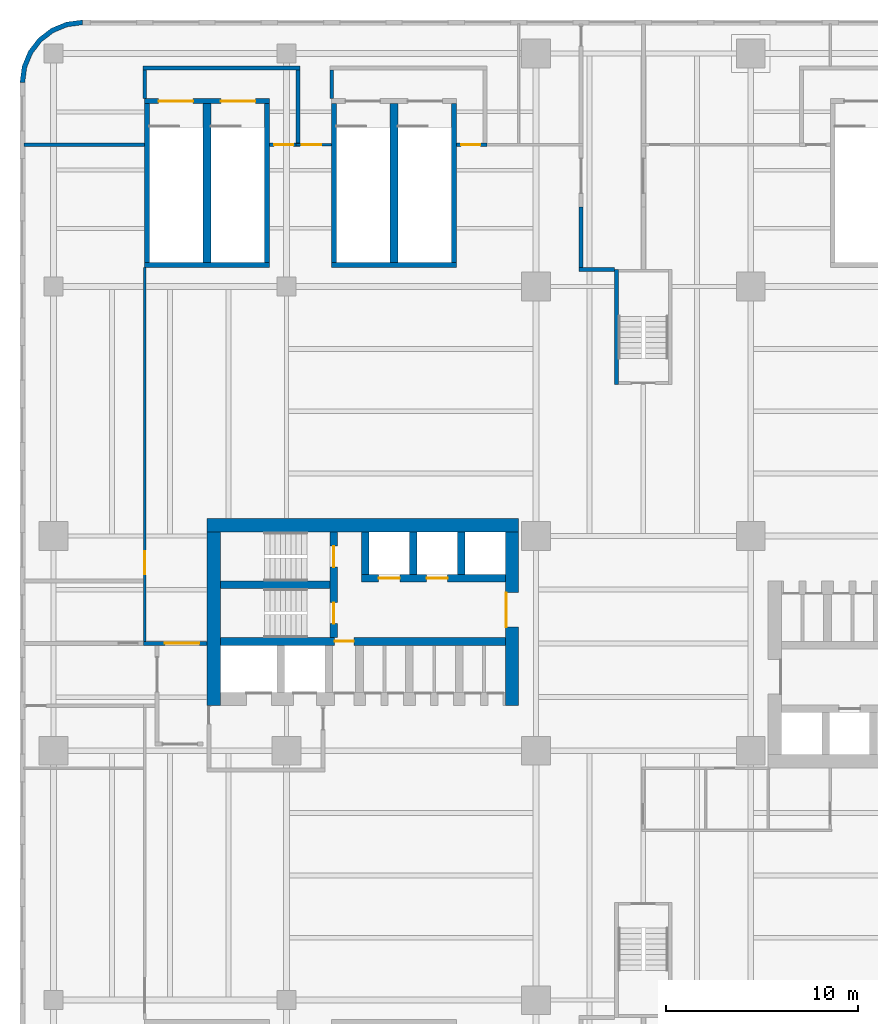
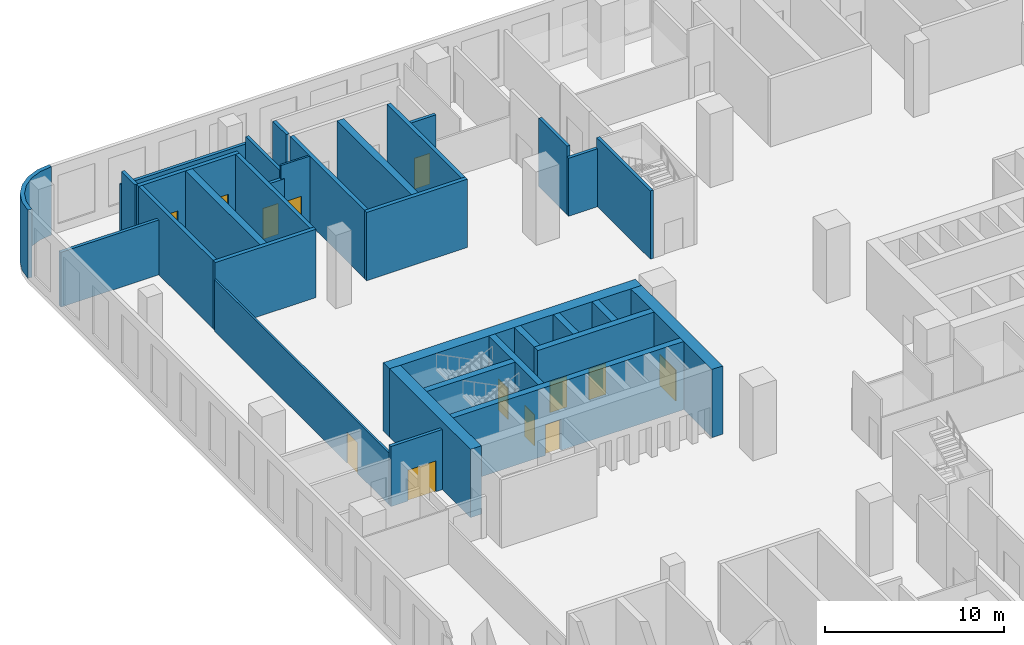
# One storey, part 8 of 13: 33 walls, 13 doors, 13 openings.
"""IFC4 building model written with IfcOpenShell, lengths in metres."""

import ifcopenshell
import ifcopenshell.guid

model = None  # the IFC model being written
_history = None  # IfcOwnerHistory: only IFC2X3 demands one
_inside = {}  # id of a spatial element -> (the spatial element, [elements in it])
_under = {}  # id of a project, library or spatial element -> (it, [spatial elements below it])
_declared = {}  # id of a project -> (the project, [libraries it declares])
_typed = {}  # id of a type object -> (the type object, [elements of that type])
_made_of = {}  # id of a material, layer set ... -> (it, [elements and type objects made of it])


def new_model(schema):
    """Start an empty IFC model of exactly this schema.

    Asked for "IFC4X3", IfcOpenShell would pick the latest addendum, in which some entities
    have other attributes; the version numbers below select the first issue.
    IFC2X3 requires an IfcOwnerHistory on every rooted entity: one is made here for all.
    """
    global model, _history
    if schema == "IFC4X3":
        model = ifcopenshell.file(schema_version=(4, 3, 0, 0))
    else:
        model = ifcopenshell.file(schema=schema)
    _inside.clear()
    _under.clear()
    _declared.clear()
    _typed.clear()
    _made_of.clear()
    _history = None
    if model.schema == "IFC2X3":
        org = make("IfcOrganization", Name="unknown")
        user = make(
            "IfcPersonAndOrganization",
            ThePerson=make("IfcPerson", FamilyName="unknown"),
            TheOrganization=org,
        )
        app = make(
            "IfcApplication",
            ApplicationDeveloper=org,
            Version="unknown",
            ApplicationFullName="unknown",
            ApplicationIdentifier="unknown",
        )
        _history = make(
            "IfcOwnerHistory",
            OwningUser=user,
            OwningApplication=app,
            ChangeAction="ADDED",
            CreationDate=0,
        )
    return model


def make(cls, **values):
    """One entity of the class cls with the attributes given. An attribute that is None is left unset."""
    return model.create_entity(
        cls, **{name: value for name, value in values.items() if value is not None}
    )


def rooted(cls, **values):
    """An entity with a GlobalId (a new one), such as an element, a storey or a relation."""
    return make(cls, GlobalId=ifcopenshell.guid.new(), OwnerHistory=_history, **values)


def si_unit(unit_type, name, prefix=None):
    """IfcSIUnit, for example si_unit("LENGTHUNIT", "METRE", prefix="MILLI")."""
    return make("IfcSIUnit", UnitType=unit_type, Prefix=prefix, Name=name)


def assignment(units):
    """IfcUnitAssignment: the units of a project."""
    return None if units is None else make("IfcUnitAssignment", Units=units)


def point(xyz):
    """IfcCartesianPoint."""
    return None if xyz is None else make("IfcCartesianPoint", Coordinates=xyz)


def direction(xyz):
    """IfcDirection."""
    return None if xyz is None else make("IfcDirection", DirectionRatios=xyz)


def frame(location, z_axis=None, x_axis=None):
    """IfcAxis2Placement3D, a coordinate frame: its origin and axes. An axis left out is left unset."""
    return make(
        "IfcAxis2Placement3D",
        Location=point(location),
        Axis=direction(z_axis),
        RefDirection=direction(x_axis),
    )


def frame_2d(location, x_axis=None):
    """IfcAxis2Placement2D, a coordinate frame in the plane: its origin and x axis."""
    return make(
        "IfcAxis2Placement2D", Location=point(location), RefDirection=direction(x_axis)
    )


def origin():
    """The frame at (0, 0, 0) with its axes left unset."""
    return frame((0.0, 0.0, 0.0))


def place(relative_to, where):
    """IfcLocalPlacement: puts the frame where relative to a parent placement (None: the world)."""
    return make(
        "IfcLocalPlacement", PlacementRelTo=relative_to, RelativePlacement=where
    )


def context(
    kind, dimensions, precision=None, world=None, true_north=None, identifier=None
):
    """IfcGeometricRepresentationContext, for example the 3D "Model" context."""
    return make(
        "IfcGeometricRepresentationContext",
        ContextIdentifier=identifier,
        ContextType=kind,
        CoordinateSpaceDimension=dimensions,
        Precision=precision,
        WorldCoordinateSystem=world,
        TrueNorth=true_north,
    )


def subcontext(parent, identifier, kind, view, scale=None):
    """IfcGeometricRepresentationSubContext, for example "Body" below "Model"."""
    return make(
        "IfcGeometricRepresentationSubContext",
        ContextIdentifier=identifier,
        ContextType=kind,
        ParentContext=parent,
        TargetScale=scale,
        TargetView=view,
    )


def project(units=None, contexts=None):
    """IfcProject with its units and contexts."""
    return rooted(
        "IfcProject",
        Name="project",
        RepresentationContexts=contexts,
        UnitsInContext=assignment(units),
    )


def spatial(cls, under=None, at=None, **own):
    """A site, building, storey or space (cls), placed at a placement, below another one or the project."""
    s = rooted(cls, ObjectPlacement=at, **own)
    if under is not None:
        _under.setdefault(under.id(), (under, []))[1].append(s)
    return s


def polyline(points):
    """IfcPolyline through the points."""
    return make("IfcPolyline", Points=[point(p) for p in points])


def profile(cls, at=None, kind="AREA", **sizes):
    """A parametric profile (cls). Its sizes go by their IFC names, for example OverallWidth=200.0."""
    return make(cls, ProfileType=kind, Position=at, **sizes)


def rectangle(**sizes):
    """IfcRectangleProfileDef."""
    return profile("IfcRectangleProfileDef", **sizes)


def outline(outer, holes=None, kind="AREA"):
    """IfcArbitraryClosedProfileDef: a profile drawn as a closed curve; with holes, ...WithVoids."""
    if holes is None:
        return make("IfcArbitraryClosedProfileDef", ProfileType=kind, OuterCurve=outer)
    return make(
        "IfcArbitraryProfileDefWithVoids",
        ProfileType=kind,
        OuterCurve=outer,
        InnerCurves=holes,
    )


def extrude(swept, where, along, depth):
    """IfcExtrudedAreaSolid: the profile swept, set in the frame where, extruded along a direction by depth."""
    return make(
        "IfcExtrudedAreaSolid",
        SweptArea=swept,
        Position=where,
        ExtrudedDirection=direction(along),
        Depth=depth,
    )


def shape(context_of_items, identifier, shape_type, items):
    """IfcShapeRepresentation: the items that make up one representation, for example the "Body"."""
    return make(
        "IfcShapeRepresentation",
        ContextOfItems=context_of_items,
        RepresentationIdentifier=identifier,
        RepresentationType=shape_type,
        Items=items,
    )


def source(mapping_origin, context_of_items, identifier, shape_type, items):
    """IfcRepresentationMap: a shape defined once, which mapped items show again and again."""
    return make(
        "IfcRepresentationMap",
        MappingOrigin=mapping_origin,
        MappedRepresentation=shape(context_of_items, identifier, shape_type, items),
    )


def transform(
    local_origin,
    x_axis=None,
    y_axis=None,
    z_axis=None,
    scale=None,
    scale2=None,
    scale3=None,
    uniform=True,
):
    """IfcCartesianTransformationOperator3D, or its non-uniform kind. x_axis, y_axis, z_axis: its Axis1, 2, 3."""
    if uniform:
        return make(
            "IfcCartesianTransformationOperator3D",
            Axis1=direction(x_axis),
            Axis2=direction(y_axis),
            LocalOrigin=point(local_origin),
            Scale=scale,
            Axis3=direction(z_axis),
        )
    return make(
        "IfcCartesianTransformationOperator3DnonUniform",
        Axis1=direction(x_axis),
        Axis2=direction(y_axis),
        LocalOrigin=point(local_origin),
        Scale=scale,
        Axis3=direction(z_axis),
        Scale2=scale2,
        Scale3=scale3,
    )


def mapped(mapping_source, mapping_target):
    """IfcMappedItem: shows the shape of a source again, moved by a transform."""
    return make(
        "IfcMappedItem", MappingSource=mapping_source, MappingTarget=mapping_target
    )


def material(Name=None, Category=None):
    """IfcMaterial."""
    return make("IfcMaterial", Name=Name, Category=Category)


def layer(
    of_material, thickness, ventilated=None, Name=None, Category=None, Priority=None
):
    """IfcMaterialLayer: one layer of a wall or slab, of a material (None: an air gap)."""
    return make(
        "IfcMaterialLayer",
        Material=of_material,
        LayerThickness=thickness,
        IsVentilated=ventilated,
        Name=Name,
        Category=Category,
        Priority=Priority,
    )


def layer_set(layers, Name=None):
    """IfcMaterialLayerSet."""
    return make("IfcMaterialLayerSet", MaterialLayers=layers, LayerSetName=Name)


def made_of(thing, what):
    """Note that an element or type object is made of a material, layer set ...; save() writes the relation."""
    if what is not None:
        _made_of.setdefault(what.id(), (what, []))[1].append(thing)
    return thing


def type_object(cls, material=None, **own):
    """A type object (cls), such as IfcWallType, which elements share."""
    return made_of(rooted(cls, **own), material)


def element(
    cls,
    number,
    at=None,
    inside=None,
    cuts=None,
    type_object=None,
    material=None,
    context=None,
    identifier="Body",
    shape_type=None,
    held_by="IfcProductDefinitionShape",
    body=None,
    shapes=None,
    **own,
):
    """One element of the class cls, such as IfcWall. Its Tag is "e" and its number.

    at: its placement. inside: the storey or other place that contains it. cuts: it is an
    opening in that element (IfcRelVoidsElement). A single representation is given by context,
    identifier, shape_type and body (its items); several are given by shapes. held_by: the class
    of the entity that holds the representations. save() writes the other relations.
    """
    e = rooted(cls, Tag="e%d" % number, ObjectPlacement=at, **own)
    if body is not None:
        shapes = [shape(context, identifier, shape_type, body)]
    if shapes is not None:
        e.Representation = make(held_by, Representations=shapes)
    if inside is not None:
        _inside.setdefault(inside.id(), (inside, []))[1].append(e)
    if cuts is not None:
        rooted(
            "IfcRelVoidsElement", RelatingBuildingElement=cuts, RelatedOpeningElement=e
        )
    if type_object is not None:
        _typed.setdefault(type_object.id(), (type_object, []))[1].append(e)
    return made_of(e, material)


def fill(opening, filler):
    """IfcRelFillsElement: the door or window that sits in an opening."""
    return rooted(
        "IfcRelFillsElement",
        RelatingOpeningElement=opening,
        RelatedBuildingElement=filler,
    )


def aggregate(whole, parts):
    """IfcRelAggregates: a whole, such as a stair, and the parts it consists of."""
    return rooted("IfcRelAggregates", RelatingObject=whole, RelatedObjects=parts)


def save(model, path):
    """Write the relations noted so far, then the file.

    IfcRelAggregates (storeys below a building ...), IfcRelContainedInSpatialStructure (elements
    in a storey), IfcRelDefinesByType, IfcRelAssociatesMaterial and IfcRelDeclares: one each for
    every whole, place, type object, material and project.
    """
    for whole, parts in _under.values():
        aggregate(whole, parts)
    for where, things in _inside.values():
        rooted(
            "IfcRelContainedInSpatialStructure",
            RelatedElements=things,
            RelatingStructure=where,
        )
    for kind, things in _typed.values():
        rooted("IfcRelDefinesByType", RelatedObjects=things, RelatingType=kind)
    for what, things in _made_of.values():
        rooted("IfcRelAssociatesMaterial", RelatedObjects=things, RelatingMaterial=what)
    for by, libraries in _declared.values():
        rooted("IfcRelDeclares", RelatingContext=by, RelatedDefinitions=libraries)
    model.write(path)


model = new_model("IFC4")

# Units and contexts
model_context = context("Model", 3, precision=1e-05, world=origin(), true_north=direction((0.0, 1.0)))
body_context = subcontext(model_context, "Body", "Model", "MODEL_VIEW")
ifc_project = project(units=[si_unit("LENGTHUNIT", "METRE"), si_unit("AREAUNIT", "SQUARE_METRE"), si_unit("VOLUMEUNIT", "CUBIC_METRE"), si_unit("PLANEANGLEUNIT", "RADIAN"), si_unit("MASSUNIT", "GRAM", prefix="KILO")], contexts=[model_context])

# Site, building, storey
site_placement = place(None, origin())
site = spatial("IfcSite", under=ifc_project, at=site_placement, CompositionType="ELEMENT")
building_placement = place(site_placement, origin())
building = spatial("IfcBuilding", under=site, at=building_placement, Name="Trellis Farm Tower", CompositionType="ELEMENT")
storey_placement = place(building_placement, frame((0.0, 0.0, 29.0)))
storey = spatial("IfcBuildingStorey", under=building, at=storey_placement, Name="L05", CompositionType="ELEMENT", Elevation=29.0)

# Walls
ifc_material_1 = material(Name="Lightweight blockwork, plastered", Category="masonry")
ifc_layer_1 = layer(ifc_material_1, 0.199951171875)
ifc_layer_set_1 = layer_set([ifc_layer_1], Name="BLOCK WALL 200 EI 120")
wall_type_1 = type_object("IfcWallType", Name="BLOCK WALL 200 EI 120", PredefinedType="PARTITIONING", material=ifc_layer_set_1)
wall_1_placement = place(storey_placement, frame((-32.300048828125, 26.0, 0.0), z_axis=(0.0, 0.0, 1.0), x_axis=(1.0, 0.0, 0.0)))
element("IfcWall", 1, at=wall_1_placement, inside=storey, type_object=wall_type_1, Name="Partition PW3", PredefinedType="PARTITIONING", context=body_context, shape_type="SweptSolid", body=[
    extrude(rectangle(XDim=6.300048828125, YDim=0.199951171875, at=frame_2d((3.14990234375, 0.0))), origin(), (0.0, 0.0, 1.0), 3.72998046875),
])
ifc_material_2 = material(Name="Sandstone faced insulated wall", Category="masonry")
ifc_layer_2 = layer(ifc_material_2, 0.25)
ifc_layer_set_2 = layer_set([ifc_layer_2], Name="STONE CLAD EXTERNAL WALL 250")
wall_type_2 = type_object("IfcWallType", Name="STONE CLAD EXTERNAL WALL 250", PredefinedType="SOLIDWALL", material=ifc_layer_set_2)
wall_2_placement = place(storey_placement, origin())
element("IfcWall", 2, at=wall_2_placement, inside=storey, type_object=wall_type_2, Name="EW5 C02", PredefinedType="SOLIDWALL", context=body_context, shape_type="SweptSolid", body=[
    extrude(outline(polyline([(-29.25, 32.5), (-30.091064453125, 32.38916015625), (-30.875, 32.064697265625), (-31.548095703125, 31.548095703125), (-32.064697265625, 30.875), (-32.38916015625, 30.091064453125), (-32.5, 29.25), (-32.25, 29.233642578125), (-32.145751953125, 30.02587890625), (-31.84619140625, 30.7490234375), (-31.369873046875, 31.369873046875), (-30.7490234375, 31.84619140625), (-30.02587890625, 32.145751953125), (-29.233642578125, 32.25), (-29.25, 32.5)])), origin(), (0.0, 0.0, 1.0), 4.64990234375),
])

# Wall, opening, door
ifc_material_3 = material(Name="Concrete C80/95", Category="concrete")
ifc_layer_3 = layer(ifc_material_3, 0.699951171875)
ifc_layer_set_3 = layer_set([ifc_layer_3], Name="CORE OUTER WALL 700 CONCRETE C80/95")
wall_type_3 = type_object("IfcWallType", Name="CORE OUTER WALL 700 CONCRETE C80/95", PredefinedType="SHEAR", material=ifc_layer_set_3)
shared_shape_1 = source(origin(), body_context, "Body", "SweptSolid", [
    extrude(rectangle(XDim=9.050048828125, YDim=0.699951171875, at=frame_2d((4.52490234375, 0.0))), origin(), (0.0, 0.0, 1.0), 4.64990234375),
])
wall_3_placement = place(storey_placement, frame((-6.85009765625, 5.800048828125, 0.0), z_axis=(0.0, 0.0, 1.0), x_axis=(0.0, -1.0, 0.0)))
wall_3 = element("IfcWall", 3, at=wall_3_placement, inside=storey, type_object=wall_type_3, Name="Core wall", PredefinedType="SHEAR", context=body_context, shape_type="MappedRepresentation", body=[
    mapped(shared_shape_1, transform((0.0, 0.0, 0.0))),
])
shared_shape_2 = source(origin(), body_context, "Body", "SweptSolid", [
    extrude(rectangle(XDim=1.800048828125, YDim=2.10009765625, at=frame_2d((0.89990234375, 1.050048828125))), frame((0.0, 0.360107421875, 0.0), z_axis=(0.0, -1.0, 0.0), x_axis=(1.0, 0.0, 0.0)), (0.0, 0.0, 1.0), 0.72021484375),
])
opening_1_placement = place(wall_3_placement, frame((3.14990234375, 0.0, 0.0)))
opening_1 = element("IfcOpeningElement", 4, at=opening_1_placement, cuts=wall_3, Name="Opening DC87", PredefinedType="OPENING", context=body_context, shape_type="MappedRepresentation", body=[
    mapped(shared_shape_2, transform((0.0, 0.0, 0.0))),
])
ifc_material_4 = material(Name="Steel", Category="steel")
door_type_1 = type_object("IfcDoorType", Name="CORE FIRE DOOR DOUBLE 1800 X 2100", OperationType="DOUBLE_DOOR_SINGLE_SWING", PredefinedType="DOOR", material=ifc_material_4)
shared_shape_3 = source(origin(), body_context, "Body", "SweptSolid", [
    extrude(rectangle(XDim=1.800048828125, YDim=2.10009765625, at=frame_2d((0.89990234375, 1.050048828125))), frame((0.0, -0.27490234375, 0.0), z_axis=(0.0, -1.0, 0.0), x_axis=(1.0, 0.0, 0.0)), (0.0, 0.0, 1.0), 0.050048828125),
])
door_1_placement = place(opening_1_placement, origin())
door_1 = element("IfcDoor", 5, at=door_1_placement, inside=storey, type_object=door_type_1, Name="Core door", OperationType="DOUBLE_DOOR_SINGLE_SWING", OverallHeight=2.10009765625, OverallWidth=1.800048828125, PredefinedType="DOOR", context=body_context, shape_type="MappedRepresentation", body=[
    mapped(shared_shape_3, transform((0.0, 0.0, 0.0))),
])
fill(opening_1, door_1)

# Walls
wall_4_placement = place(storey_placement, frame((-22.39990234375, 5.800048828125, 0.0), z_axis=(0.0, 0.0, 1.0), x_axis=(0.0, -1.0, 0.0)))
element("IfcWall", 6, at=wall_4_placement, inside=storey, type_object=wall_type_3, Name="Core wall", PredefinedType="SHEAR", context=body_context, shape_type="MappedRepresentation", body=[
    mapped(shared_shape_1, transform((0.0, 0.0, 0.0))),
])
ifc_layer_4 = layer(ifc_material_3, 0.39990234375)
ifc_layer_set_4 = layer_set([ifc_layer_4], Name="CORE INNER WALL 400 CONCRETE C80/95")
wall_type_4 = type_object("IfcWallType", Name="CORE INNER WALL 400 CONCRETE C80/95", PredefinedType="SHEAR", material=ifc_layer_set_4)
shared_shape_4 = source(origin(), body_context, "Body", "SweptSolid", [
    extrude(rectangle(XDim=2.199951171875, YDim=0.39990234375, at=frame_2d((1.10009765625, 0.0))), origin(), (0.0, 0.0, 1.0), 4.64990234375),
])
for number, where, z_axis, x_axis, name in (
    (7, (-9.5, 5.800048828125, 0.0), (0.0, 0.0, 1.0), (0.0, -1.0, 0.0), "Core wall"),
    (8, (-12.0, 5.800048828125, 0.0), (0.0, 0.0, 1.0), (0.0, -1.0, 0.0), "Core wall"),
    (9, (-14.5, 5.800048828125, 0.0), (0.0, 0.0, 1.0), (0.0, -1.0, 0.0), "Core wall"),
):
    element("IfcWall", number, at=place(storey_placement, frame(where, z_axis=z_axis, x_axis=x_axis)), inside=storey, type_object=wall_type_4, Name=name, PredefinedType="SHEAR", context=body_context, shape_type="MappedRepresentation", body=[
        mapped(shared_shape_4, transform((0.0, 0.0, 0.0))),
    ])
shared_shape_5 = source(origin(), body_context, "Body", "SweptSolid", [
    extrude(rectangle(XDim=16.25, YDim=0.699951171875, at=frame_2d((8.125, 0.0))), origin(), (0.0, 0.0, 1.0), 4.64990234375),
])
wall_5_placement = place(storey_placement, frame((-6.5, 6.14990234375, 0.0), z_axis=(0.0, 0.0, 1.0), x_axis=(-1.0, 0.0, 0.0)))
element("IfcWall", 10, at=wall_5_placement, inside=storey, type_object=wall_type_3, Name="Core wall", PredefinedType="SHEAR", context=body_context, shape_type="MappedRepresentation", body=[
    mapped(shared_shape_5, transform((0.0, 0.0, 0.0))),
])

# Wall, openings, doors
shared_shape_6 = source(origin(), body_context, "Body", "SweptSolid", [
    extrude(rectangle(XDim=7.5, YDim=0.39990234375, at=frame_2d((3.75, 0.0))), origin(), (0.0, 0.0, 1.0), 4.64990234375),
])
wall_6_placement = place(storey_placement, frame((-7.199951171875, 3.39990234375, 0.0), z_axis=(0.0, 0.0, 1.0), x_axis=(-1.0, 0.0, 0.0)))
wall_6 = element("IfcWall", 11, at=wall_6_placement, inside=storey, type_object=wall_type_4, Name="Core wall", PredefinedType="SHEAR", context=body_context, shape_type="MappedRepresentation", body=[
    mapped(shared_shape_6, transform((0.0, 0.0, 0.0))),
])
shared_shape_7 = source(origin(), body_context, "Body", "SweptSolid", [
    extrude(rectangle(XDim=1.10009765625, YDim=2.10009765625, at=frame_2d((0.550048828125, 1.050048828125))), frame((0.0, 0.2099609375, 0.0), z_axis=(0.0, -1.0, 0.0), x_axis=(1.0, 0.0, 0.0)), (0.0, 0.0, 1.0), 0.419921875),
])
opening_2_placement = place(wall_6_placement, frame((3.0, 0.0, 0.0)))
opening_2 = element("IfcOpeningElement", 12, at=opening_2_placement, cuts=wall_6, Name="Opening LD10", PredefinedType="OPENING", context=body_context, shape_type="MappedRepresentation", body=[
    mapped(shared_shape_7, transform((0.0, 0.0, 0.0))),
])
opening_3_placement = place(wall_6_placement, frame((5.5, 0.0, 0.0)))
opening_3 = element("IfcOpeningElement", 13, at=opening_3_placement, cuts=wall_6, Name="Opening LD11", PredefinedType="OPENING", context=body_context, shape_type="MappedRepresentation", body=[
    mapped(shared_shape_7, transform((0.0, 0.0, 0.0))),
])
ifc_material_5 = material(Name="Stainless steel", Category="steel")
door_type_2 = type_object("IfcDoorType", Name="LIFT LANDING DOOR 1100 X 2100", OperationType="DOUBLE_DOOR_SLIDING", PredefinedType="DOOR", material=ifc_material_5)
shared_shape_8 = source(origin(), body_context, "Body", "SweptSolid", [
    extrude(rectangle(XDim=1.10009765625, YDim=2.10009765625, at=frame_2d((0.550048828125, 1.050048828125))), frame((0.0, 0.02490234375, 0.0), z_axis=(0.0, -1.0, 0.0), x_axis=(1.0, 0.0, 0.0)), (0.0, 0.0, 1.0), 0.050048828125),
])
door_2_placement = place(opening_2_placement, origin())
door_2 = element("IfcDoor", 14, at=door_2_placement, inside=storey, type_object=door_type_2, Name="Lift landing door", OperationType="DOUBLE_DOOR_SLIDING", OverallHeight=2.10009765625, OverallWidth=1.10009765625, PredefinedType="DOOR", context=body_context, shape_type="MappedRepresentation", body=[
    mapped(shared_shape_8, transform((0.0, 0.0, 0.0))),
])
fill(opening_2, door_2)
door_3_placement = place(opening_3_placement, origin())
door_3 = element("IfcDoor", 15, at=door_3_placement, inside=storey, type_object=door_type_2, Name="Lift landing door", OperationType="DOUBLE_DOOR_SLIDING", OverallHeight=2.10009765625, OverallWidth=1.10009765625, PredefinedType="DOOR", context=body_context, shape_type="MappedRepresentation", body=[
    mapped(shared_shape_8, transform((0.0, 0.0, 0.0))),
])
fill(opening_3, door_3)

# Wall, opening, door
shared_shape_9 = source(origin(), body_context, "Body", "SweptSolid", [
    extrude(rectangle(XDim=14.85009765625, YDim=0.39990234375, at=frame_2d((7.425048828125, 0.0))), origin(), (0.0, 0.0, 1.0), 4.64990234375),
])
wall_7_placement = place(storey_placement, frame((-7.199951171875, 0.10009765625, 0.0), z_axis=(0.0, 0.0, 1.0), x_axis=(-1.0, 0.0, 0.0)))
wall_7 = element("IfcWall", 16, at=wall_7_placement, inside=storey, type_object=wall_type_4, Name="Core wall", PredefinedType="SHEAR", context=body_context, shape_type="MappedRepresentation", body=[
    mapped(shared_shape_9, transform((0.0, 0.0, 0.0))),
])
shared_shape_10 = source(origin(), body_context, "Body", "SweptSolid", [
    extrude(rectangle(XDim=1.0, YDim=2.10009765625, at=frame_2d((0.5, 1.050048828125))), frame((0.0, 0.2099609375, 0.0), z_axis=(0.0, -1.0, 0.0), x_axis=(1.0, 0.0, 0.0)), (0.0, 0.0, 1.0), 0.419921875),
])
opening_4_placement = place(wall_7_placement, frame((7.89990234375, 0.0, 0.0)))
opening_4 = element("IfcOpeningElement", 17, at=opening_4_placement, cuts=wall_7, Name="Opening DC91", PredefinedType="OPENING", context=body_context, shape_type="MappedRepresentation", body=[
    mapped(shared_shape_10, transform((0.0, 0.0, 0.0))),
])
door_type_3 = type_object("IfcDoorType", Name="CORE FIRE DOOR 1000 X 2100", OperationType="NOTDEFINED", PredefinedType="DOOR", material=ifc_material_4)
shared_shape_11 = source(origin(), body_context, "Body", "SweptSolid", [
    extrude(rectangle(XDim=1.0, YDim=2.10009765625, at=frame_2d((0.5, 1.050048828125))), frame((0.0, 0.02490234375, 0.0), z_axis=(0.0, -1.0, 0.0), x_axis=(1.0, 0.0, 0.0)), (0.0, 0.0, 1.0), 0.050048828125),
])
door_4_placement = place(opening_4_placement, origin())
door_4 = element("IfcDoor", 18, at=door_4_placement, inside=storey, type_object=door_type_3, Name="Core door", OperationType="SINGLE_SWING_RIGHT", OverallHeight=2.10009765625, OverallWidth=1.0, PredefinedType="DOOR", context=body_context, shape_type="MappedRepresentation", body=[
    mapped(shared_shape_11, transform((0.0, 0.0, 0.0))),
])
fill(opening_4, door_4)

# Wall, openings, doors
shared_shape_12 = source(origin(), body_context, "Body", "SweptSolid", [
    extrude(rectangle(XDim=5.5, YDim=0.39990234375, at=frame_2d((2.75, 0.0))), origin(), (0.0, 0.0, 1.0), 4.64990234375),
])
wall_8_placement = place(storey_placement, frame((-16.14990234375, 5.800048828125, 0.0), z_axis=(0.0, 0.0, 1.0), x_axis=(0.0, -1.0, 0.0)))
wall_8 = element("IfcWall", 19, at=wall_8_placement, inside=storey, type_object=wall_type_4, Name="Core wall", PredefinedType="SHEAR", context=body_context, shape_type="MappedRepresentation", body=[
    mapped(shared_shape_12, transform((0.0, 0.0, 0.0))),
])
opening_5_placement = place(wall_8_placement, frame((0.72509765625, 0.0, 0.0)))
opening_5 = element("IfcOpeningElement", 20, at=opening_5_placement, cuts=wall_8, Name="Opening DC88", PredefinedType="OPENING", context=body_context, shape_type="MappedRepresentation", body=[
    mapped(shared_shape_7, transform((0.0, 0.0, 0.0))),
])
opening_6_placement = place(wall_8_placement, frame((3.675048828125, 0.0, 0.0)))
opening_6 = element("IfcOpeningElement", 21, at=opening_6_placement, cuts=wall_8, Name="Opening DC89", PredefinedType="OPENING", context=body_context, shape_type="MappedRepresentation", body=[
    mapped(shared_shape_7, transform((0.0, 0.0, 0.0))),
])
door_type_4 = type_object("IfcDoorType", Name="CORE FIRE DOOR 1100 X 2100", OperationType="NOTDEFINED", PredefinedType="DOOR", material=ifc_material_4)
door_5_placement = place(opening_5_placement, origin())
door_5 = element("IfcDoor", 22, at=door_5_placement, inside=storey, type_object=door_type_4, Name="Core door", OperationType="SINGLE_SWING_RIGHT", OverallHeight=2.10009765625, OverallWidth=1.10009765625, PredefinedType="DOOR", context=body_context, shape_type="MappedRepresentation", body=[
    mapped(shared_shape_8, transform((0.0, 0.0, 0.0))),
])
fill(opening_5, door_5)
door_6_placement = place(opening_6_placement, origin())
door_6 = element("IfcDoor", 23, at=door_6_placement, inside=storey, type_object=door_type_4, Name="Core door", OperationType="SINGLE_SWING_LEFT", OverallHeight=2.10009765625, OverallWidth=1.10009765625, PredefinedType="DOOR", context=body_context, shape_type="MappedRepresentation", body=[
    mapped(shared_shape_8, transform((0.0, 0.0, 0.0))),
])
fill(opening_6, door_6)

# Walls
shared_shape_13 = source(origin(), body_context, "Body", "SweptSolid", [
    extrude(rectangle(XDim=5.699951171875, YDim=0.39990234375, at=frame_2d((2.85009765625, 0.0))), origin(), (0.0, 0.0, 1.0), 4.64990234375),
])
wall_9_placement = place(storey_placement, frame((-16.35009765625, 3.050048828125, 0.0), z_axis=(0.0, 0.0, 1.0), x_axis=(-1.0, 0.0, 0.0)))
element("IfcWall", 24, at=wall_9_placement, inside=storey, type_object=wall_type_4, Name="Core wall", PredefinedType="SHEAR", context=body_context, shape_type="MappedRepresentation", body=[
    mapped(shared_shape_13, transform((0.0, 0.0, 0.0))),
])
ifc_layer_5 = layer(ifc_material_3, 0.199951171875)
ifc_layer_set_5 = layer_set([ifc_layer_5], Name="CORE STAIR ENCLOSURE WALL 200 CONCRETE C80/95")
wall_type_5 = type_object("IfcWallType", Name="CORE STAIR ENCLOSURE WALL 200 CONCRETE C80/95", PredefinedType="SHEAR", material=ifc_layer_set_5)
shared_shape_14 = source(origin(), body_context, "Body", "SweptSolid", [
    extrude(rectangle(XDim=6.0, YDim=0.199951171875, at=frame_2d((3.0, 0.0))), origin(), (0.0, 0.0, 1.0), 4.64990234375),
])
wall_10_placement = place(storey_placement, frame((-1.39990234375, 13.5, 0.0), z_axis=(0.0, 0.0, 1.0), x_axis=(0.0, 1.0, 0.0)))
element("IfcWall", 25, at=wall_10_placement, inside=storey, type_object=wall_type_5, Name="Stair enclosure wall", PredefinedType="SHEAR", context=body_context, shape_type="MappedRepresentation", body=[
    mapped(shared_shape_14, transform((0.0, 0.0, 0.0))),
])

# Wall, openings, doors
ifc_layer_6 = layer(ifc_material_3, 0.25)
ifc_layer_set_6 = layer_set([ifc_layer_6], Name="CORE STAIR ENCLOSURE WALL 250 CONCRETE C80/95")
wall_type_6 = type_object("IfcWallType", Name="CORE STAIR ENCLOSURE WALL 250 CONCRETE C80/95", PredefinedType="SHEAR", material=ifc_layer_set_6)
shared_shape_15 = source(origin(), body_context, "Body", "SweptSolid", [
    extrude(rectangle(XDim=6.5, YDim=0.25, at=frame_2d((3.25, 0.0))), origin(), (0.0, 0.0, 1.0), 4.64990234375),
])
wall_11_placement = place(storey_placement, frame((-26.0, 28.27490234375, 0.0), z_axis=(0.0, 0.0, 1.0), x_axis=(1.0, 0.0, 0.0)))
wall_11 = element("IfcWall", 26, at=wall_11_placement, inside=storey, type_object=wall_type_6, Name="Podium stair enclosure wall", PredefinedType="SHEAR", context=body_context, shape_type="MappedRepresentation", body=[
    mapped(shared_shape_15, transform((0.0, 0.0, 0.0))),
])
shared_shape_16 = source(origin(), body_context, "Body", "SweptSolid", [
    extrude(rectangle(XDim=1.800048828125, YDim=2.10009765625, at=frame_2d((0.89990234375, 1.050048828125))), frame((0.0, 0.135009765625, 0.0), z_axis=(0.0, -1.0, 0.0), x_axis=(1.0, 0.0, 0.0)), (0.0, 0.0, 1.0), 0.27001953125),
])
opening_7_placement = place(wall_11_placement, frame((0.72509765625, 0.0, 0.0)))
opening_7 = element("IfcOpeningElement", 27, at=opening_7_placement, cuts=wall_11, Name="Opening DP1", PredefinedType="OPENING", context=body_context, shape_type="MappedRepresentation", body=[
    mapped(shared_shape_16, transform((0.0, 0.0, 0.0))),
])
opening_8_placement = place(wall_11_placement, frame((3.97509765625, 0.0, 0.0)))
opening_8 = element("IfcOpeningElement", 28, at=opening_8_placement, cuts=wall_11, Name="Opening DP2", PredefinedType="OPENING", context=body_context, shape_type="MappedRepresentation", body=[
    mapped(shared_shape_16, transform((0.0, 0.0, 0.0))),
])
shared_shape_17 = source(origin(), body_context, "Body", "SweptSolid", [
    extrude(rectangle(XDim=1.800048828125, YDim=2.10009765625, at=frame_2d((0.89990234375, 1.050048828125))), frame((0.0, 0.02490234375, 0.0), z_axis=(0.0, -1.0, 0.0), x_axis=(1.0, 0.0, 0.0)), (0.0, 0.0, 1.0), 0.050048828125),
])
door_7_placement = place(opening_7_placement, origin())
door_7 = element("IfcDoor", 29, at=door_7_placement, inside=storey, type_object=door_type_1, Name="Podium stair door", OperationType="DOUBLE_DOOR_SINGLE_SWING", OverallHeight=2.10009765625, OverallWidth=1.800048828125, PredefinedType="DOOR", context=body_context, shape_type="MappedRepresentation", body=[
    mapped(shared_shape_17, transform((0.0, 0.0, 0.0))),
])
fill(opening_7, door_7)
door_8_placement = place(opening_8_placement, origin())
door_8 = element("IfcDoor", 30, at=door_8_placement, inside=storey, type_object=door_type_1, Name="Podium stair door", OperationType="DOUBLE_DOOR_SINGLE_SWING", OverallHeight=2.10009765625, OverallWidth=1.800048828125, PredefinedType="DOOR", context=body_context, shape_type="MappedRepresentation", body=[
    mapped(shared_shape_17, transform((0.0, 0.0, 0.0))),
])
fill(opening_8, door_8)

# Walls
for number, where, z_axis, x_axis, name in (
    (31, (-26.0, 19.72509765625, 0.0), (0.0, 0.0, 1.0), (1.0, 0.0, 0.0), "Podium stair enclosure wall"),
    (32, (-16.25, 19.72509765625, 0.0), (0.0, 0.0, 1.0), (1.0, 0.0, 0.0), "Podium stair enclosure wall"),
):
    element("IfcWall", number, at=place(storey_placement, frame(where, z_axis=z_axis, x_axis=x_axis)), inside=storey, type_object=wall_type_6, Name=name, PredefinedType="SHEAR", context=body_context, shape_type="MappedRepresentation", body=[
        mapped(shared_shape_15, transform((0.0, 0.0, 0.0))),
    ])
shared_shape_18 = source(origin(), body_context, "Body", "SweptSolid", [
    extrude(rectangle(XDim=8.2998046875, YDim=0.25, at=frame_2d((4.14990234375, 0.0))), origin(), (0.0, 0.0, 1.0), 4.64990234375),
])
for number, where, z_axis, x_axis, name in (
    (33, (-25.875, 19.85009765625, 0.0), (0.0, 0.0, 1.0), (0.0, 1.0, 0.0), "Podium stair enclosure wall"),
    (34, (-19.625, 19.85009765625, 0.0), (0.0, 0.0, 1.0), (0.0, 1.0, 0.0), "Podium stair enclosure wall"),
    (35, (-16.125, 19.85009765625, 0.0), (0.0, 0.0, 1.0), (0.0, 1.0, 0.0), "Podium stair enclosure wall"),
    (36, (-9.875, 19.85009765625, 0.0), (0.0, 0.0, 1.0), (0.0, 1.0, 0.0), "Podium stair enclosure wall"),
):
    element("IfcWall", number, at=place(storey_placement, frame(where, z_axis=z_axis, x_axis=x_axis)), inside=storey, type_object=wall_type_6, Name=name, PredefinedType="SHEAR", context=body_context, shape_type="MappedRepresentation", body=[
        mapped(shared_shape_18, transform((0.0, 0.0, 0.0))),
    ])
ifc_layer_7 = layer(ifc_material_3, 0.43994140625)
ifc_layer_set_7 = layer_set([ifc_layer_7], Name="CORE STAIR ENCLOSURE WALL 440 CONCRETE C80/95")
wall_type_7 = type_object("IfcWallType", Name="CORE STAIR ENCLOSURE WALL 440 CONCRETE C80/95", PredefinedType="SHEAR", material=ifc_layer_set_7)
shared_shape_19 = source(origin(), body_context, "Body", "SweptSolid", [
    extrude(rectangle(XDim=8.2998046875, YDim=0.43994140625, at=frame_2d((4.14990234375, 0.0))), origin(), (0.0, 0.0, 1.0), 4.64990234375),
])
for number, where, z_axis, x_axis, name in (
    (37, (-22.75, 19.85009765625, 0.0), (0.0, 0.0, 1.0), (0.0, 1.0, 0.0), "Podium stair enclosure wall"),
    (38, (-13.0, 19.85009765625, 0.0), (0.0, 0.0, 1.0), (0.0, 1.0, 0.0), "Podium stair enclosure wall"),
):
    element("IfcWall", number, at=place(storey_placement, frame(where, z_axis=z_axis, x_axis=x_axis)), inside=storey, type_object=wall_type_7, Name=name, PredefinedType="SHEAR", context=body_context, shape_type="MappedRepresentation", body=[
        mapped(shared_shape_19, transform((0.0, 0.0, 0.0))),
    ])
shared_shape_20 = source(origin(), body_context, "Body", "SweptSolid", [
    extrude(rectangle(XDim=1.5, YDim=0.199951171875, at=frame_2d((0.75, 0.0))), origin(), (0.0, 0.0, 1.0), 4.64990234375),
])
for number, where, z_axis, x_axis, name in (
    (39, (-26.0, 28.39990234375, 0.0), (0.0, 0.0, 1.0), (0.0, 1.0, 0.0), "Partition PW3"),
    (40, (-16.25, 28.39990234375, 0.0), (0.0, 0.0, 1.0), (0.0, 1.0, 0.0), "Partition PW3"),
):
    element("IfcWall", number, at=place(storey_placement, frame(where, z_axis=z_axis, x_axis=x_axis)), inside=storey, type_object=wall_type_1, Name=name, PredefinedType="PARTITIONING", context=body_context, shape_type="MappedRepresentation", body=[
        mapped(shared_shape_20, transform((0.0, 0.0, 0.0))),
    ])
shared_shape_21 = source(origin(), body_context, "Body", "SweptSolid", [
    extrude(rectangle(XDim=3.7998046875, YDim=0.199951171875, at=frame_2d((1.89990234375, 0.0))), origin(), (0.0, 0.0, 1.0), 4.2236328125),
])
wall_12_placement = place(storey_placement, frame((-18.0, 26.10009765625, 0.0), z_axis=(0.0, 0.0, 1.0), x_axis=(0.0, 1.0, 0.0)))
element("IfcWall", 41, at=wall_12_placement, inside=storey, type_object=wall_type_1, Name="Partition PW3", PredefinedType="PARTITIONING", context=body_context, shape_type="MappedRepresentation", body=[
    mapped(shared_shape_21, transform((0.0, 0.0, 0.0))),
])
shared_shape_22 = source(origin(), body_context, "Body", "SweptSolid", [
    extrude(rectangle(XDim=3.14990234375, YDim=0.199951171875, at=frame_2d((1.574951171875, 0.0))), origin(), (0.0, 0.0, 1.0), 4.64990234375),
])
wall_13_placement = place(storey_placement, frame((-3.25, 19.60009765625, 0.0), z_axis=(0.0, 0.0, 1.0), x_axis=(0.0, 1.0, 0.0)))
element("IfcWall", 42, at=wall_13_placement, inside=storey, type_object=wall_type_1, Name="Partition PW3", PredefinedType="PARTITIONING", context=body_context, shape_type="MappedRepresentation", body=[
    mapped(shared_shape_22, transform((0.0, 0.0, 0.0))),
])

# Wall, opening, door
ifc_material_6 = material(Name="Plasterboard on steel studs, mineral wool", Category="steel")
ifc_layer_8 = layer(ifc_material_6, 0.125)
ifc_layer_set_8 = layer_set([ifc_layer_8], Name="PARTITION 125 STUD EI 60")
wall_type_8 = type_object("IfcWallType", Name="PARTITION 125 STUD EI 60", PredefinedType="PARTITIONING", material=ifc_layer_set_8)
shared_shape_23 = source(origin(), body_context, "Body", "SweptSolid", [
    extrude(rectangle(XDim=19.5, YDim=0.125, at=frame_2d((9.75, 0.0))), origin(), (0.0, 0.0, 1.0), 3.530029296875),
])
wall_14_placement = place(storey_placement, frame((-26.0, 0.10009765625, 0.0), z_axis=(0.0, 0.0, 1.0), x_axis=(0.0, 1.0, 0.0)))
wall_14 = element("IfcWall", 43, at=wall_14_placement, inside=storey, type_object=wall_type_8, Name="Partition PW1", PredefinedType="PARTITIONING", context=body_context, shape_type="MappedRepresentation", body=[
    mapped(shared_shape_23, transform((0.0, 0.0, 0.0))),
])
shared_shape_24 = source(origin(), body_context, "Body", "SweptSolid", [
    extrude(rectangle(XDim=1.199951171875, YDim=2.10009765625, at=frame_2d((0.60009765625, 1.050048828125))), frame((0.0, 0.072509765625, 0.0), z_axis=(0.0, -1.0, 0.0), x_axis=(1.0, 0.0, 0.0)), (0.0, 0.0, 1.0), 0.14501953125),
])
opening_9_placement = place(wall_14_placement, frame((3.5, 0.0, 0.0)))
opening_9 = element("IfcOpeningElement", 44, at=opening_9_placement, cuts=wall_14, Name="Opening D604", PredefinedType="OPENING", context=body_context, shape_type="MappedRepresentation", body=[
    mapped(shared_shape_24, transform((0.0, 0.0, 0.0))),
])
ifc_material_7 = material(Name="Fire-rated timber door leaf in a hollow metal frame", Category="wood")
door_type_5 = type_object("IfcDoorType", Name="DOOR 1200x2100 FD30S", OperationType="NOTDEFINED", PredefinedType="DOOR", material=ifc_material_7)
shared_shape_25 = source(origin(), body_context, "Body", "SweptSolid", [
    extrude(rectangle(XDim=1.199951171875, YDim=2.10009765625, at=frame_2d((0.60009765625, 1.050048828125))), frame((0.0, 0.02490234375, 0.0), z_axis=(0.0, -1.0, 0.0), x_axis=(1.0, 0.0, 0.0)), (0.0, 0.0, 1.0), 0.050048828125),
])
door_9_placement = place(opening_9_placement, origin())
door_9 = element("IfcDoor", 45, at=door_9_placement, inside=storey, type_object=door_type_5, Name="Door D604", OperationType="SINGLE_SWING_LEFT", OverallHeight=2.10009765625, OverallWidth=1.199951171875, PredefinedType="DOOR", context=body_context, shape_type="MappedRepresentation", body=[
    mapped(shared_shape_25, transform((0.0, 0.0, 0.0))),
])
fill(opening_9, door_9)

# Wall
shared_shape_26 = source(origin(), body_context, "Body", "SweptSolid", [
    extrude(rectangle(XDim=8.2001953125, YDim=0.199951171875, at=frame_2d((4.10009765625, 0.0))), origin(), (0.0, 0.0, 1.0), 3.711669921875),
])
wall_15_placement = place(storey_placement, frame((-17.89990234375, 30.0, 0.0), z_axis=(0.0, 0.0, 1.0), x_axis=(-1.0, 0.0, 0.0)))
element("IfcWall", 46, at=wall_15_placement, inside=storey, type_object=wall_type_1, Name="Partition PW3", PredefinedType="PARTITIONING", context=body_context, shape_type="MappedRepresentation", body=[
    mapped(shared_shape_26, transform((0.0, 0.0, 0.0))),
])

# Wall, opening, door
shared_shape_27 = source(origin(), body_context, "Body", "SweptSolid", [
    extrude(rectangle(XDim=1.60009765625, YDim=0.199951171875, at=frame_2d((0.800048828125, 0.0))), origin(), (0.0, 0.0, 1.0), 4.64990234375),
])
wall_16_placement = place(storey_placement, frame((-8.14990234375, 26.0, 0.0), z_axis=(0.0, 0.0, 1.0), x_axis=(-1.0, 0.0, 0.0)))
wall_16 = element("IfcWall", 47, at=wall_16_placement, inside=storey, type_object=wall_type_1, Name="Partition PW3", PredefinedType="PARTITIONING", context=body_context, shape_type="MappedRepresentation", body=[
    mapped(shared_shape_27, transform((0.0, 0.0, 0.0))),
])
shared_shape_28 = source(origin(), body_context, "Body", "SweptSolid", [
    extrude(rectangle(XDim=1.0, YDim=2.10009765625, at=frame_2d((0.5, 1.050048828125))), frame((0.0, 0.110107421875, 0.0), z_axis=(0.0, -1.0, 0.0), x_axis=(1.0, 0.0, 0.0)), (0.0, 0.0, 1.0), 0.22021484375),
])
opening_10_placement = place(wall_16_placement, frame((0.35009765625, 0.0, 0.0)))
opening_10 = element("IfcOpeningElement", 48, at=opening_10_placement, cuts=wall_16, Name="Opening D306", PredefinedType="OPENING", context=body_context, shape_type="MappedRepresentation", body=[
    mapped(shared_shape_28, transform((0.0, 0.0, 0.0))),
])
door_type_6 = type_object("IfcDoorType", Name="DOOR 1000x2100 FD60", OperationType="NOTDEFINED", PredefinedType="DOOR", material=ifc_material_7)
door_10_placement = place(opening_10_placement, origin())
door_10 = element("IfcDoor", 49, at=door_10_placement, inside=storey, type_object=door_type_6, Name="Door D306", OperationType="SINGLE_SWING_LEFT", OverallHeight=2.10009765625, OverallWidth=1.0, PredefinedType="DOOR", context=body_context, shape_type="MappedRepresentation", body=[
    mapped(shared_shape_11, transform((0.0, 0.0, 0.0))),
])
fill(opening_10, door_10)

shared_shape_29 = source(origin(), body_context, "Body", "SweptSolid", [
    extrude(rectangle(XDim=1.60009765625, YDim=0.199951171875, at=frame_2d((0.800048828125, 0.0))), origin(), (0.0, 0.0, 1.0), 3.711669921875),
])
wall_17_placement = place(storey_placement, frame((-17.89990234375, 26.0, 0.0), z_axis=(0.0, 0.0, 1.0), x_axis=(-1.0, 0.0, 0.0)))
wall_17 = element("IfcWall", 50, at=wall_17_placement, inside=storey, type_object=wall_type_1, Name="Partition PW3", PredefinedType="PARTITIONING", context=body_context, shape_type="MappedRepresentation", body=[
    mapped(shared_shape_29, transform((0.0, 0.0, 0.0))),
])
opening_11_placement = place(wall_17_placement, frame((0.35009765625, 0.0, 0.0)))
opening_11 = element("IfcOpeningElement", 51, at=opening_11_placement, cuts=wall_17, Name="Opening D305", PredefinedType="OPENING", context=body_context, shape_type="MappedRepresentation", body=[
    mapped(shared_shape_28, transform((0.0, 0.0, 0.0))),
])
door_11_placement = place(opening_11_placement, origin())
door_11 = element("IfcDoor", 52, at=door_11_placement, inside=storey, type_object=door_type_6, Name="Door D305", OperationType="SINGLE_SWING_LEFT", OverallHeight=2.10009765625, OverallWidth=1.0, PredefinedType="DOOR", context=body_context, shape_type="MappedRepresentation", body=[
    mapped(shared_shape_11, transform((0.0, 0.0, 0.0))),
])
fill(opening_11, door_11)

shared_shape_30 = source(origin(), body_context, "Body", "SweptSolid", [
    extrude(rectangle(XDim=1.85009765625, YDim=0.125, at=frame_2d((0.925048828125, 0.0))), origin(), (0.0, 0.0, 1.0), 4.64990234375),
])
wall_18_placement = place(storey_placement, frame((-18.10009765625, 26.0, 0.0), z_axis=(0.0, 0.0, 1.0), x_axis=(1.0, 0.0, 0.0)))
wall_18 = element("IfcWall", 53, at=wall_18_placement, inside=storey, type_object=wall_type_8, Name="Partition PW1", PredefinedType="PARTITIONING", context=body_context, shape_type="MappedRepresentation", body=[
    mapped(shared_shape_30, transform((0.0, 0.0, 0.0))),
])
shared_shape_31 = source(origin(), body_context, "Body", "SweptSolid", [
    extrude(rectangle(XDim=1.0, YDim=2.10009765625, at=frame_2d((0.5, 1.050048828125))), frame((0.0, 0.072509765625, 0.0), z_axis=(0.0, -1.0, 0.0), x_axis=(1.0, 0.0, 0.0)), (0.0, 0.0, 1.0), 0.14501953125),
])
opening_12_placement = place(wall_18_placement, frame((0.300048828125, 0.0, 0.0)))
opening_12 = element("IfcOpeningElement", 54, at=opening_12_placement, cuts=wall_18, Name="Opening D108", PredefinedType="OPENING", context=body_context, shape_type="MappedRepresentation", body=[
    mapped(shared_shape_31, transform((0.0, 0.0, 0.0))),
])
door_type_7 = type_object("IfcDoorType", Name="DOOR 1000x2100 FD30S", OperationType="NOTDEFINED", PredefinedType="DOOR", material=ifc_material_7)
door_12_placement = place(opening_12_placement, origin())
door_12 = element("IfcDoor", 55, at=door_12_placement, inside=storey, type_object=door_type_7, Name="Door D108", OperationType="SINGLE_SWING_LEFT", OverallHeight=2.10009765625, OverallWidth=1.0, PredefinedType="DOOR", context=body_context, shape_type="MappedRepresentation", body=[
    mapped(shared_shape_11, transform((0.0, 0.0, 0.0))),
])
fill(opening_12, door_12)

shared_shape_32 = source(origin(), body_context, "Body", "SweptSolid", [
    extrude(rectangle(XDim=3.3125, YDim=0.199951171875, at=frame_2d((1.65625, 0.0))), origin(), (0.0, 0.0, 1.0), 4.0966796875),
])
wall_19_placement = place(storey_placement, frame((-26.0625, 0.0, 0.0), z_axis=(0.0, 0.0, 1.0), x_axis=(1.0, 0.0, 0.0)))
wall_19 = element("IfcWall", 56, at=wall_19_placement, inside=storey, type_object=wall_type_1, Name="Partition PW3", PredefinedType="PARTITIONING", context=body_context, shape_type="MappedRepresentation", body=[
    mapped(shared_shape_32, transform((0.0, 0.0, 0.0))),
])
shared_shape_33 = source(origin(), body_context, "Body", "SweptSolid", [
    extrude(rectangle(XDim=1.800048828125, YDim=2.10009765625, at=frame_2d((0.89990234375, 1.050048828125))), frame((0.0, 0.110107421875, 0.0), z_axis=(0.0, -1.0, 0.0), x_axis=(1.0, 0.0, 0.0)), (0.0, 0.0, 1.0), 0.22021484375),
])
opening_13_placement = place(wall_19_placement, frame((1.112548828125, 0.0, 0.0)))
opening_13 = element("IfcOpeningElement", 57, at=opening_13_placement, cuts=wall_19, Name="Opening D405", PredefinedType="OPENING", context=body_context, shape_type="MappedRepresentation", body=[
    mapped(shared_shape_33, transform((0.0, 0.0, 0.0))),
])
door_type_8 = type_object("IfcDoorType", Name="DOOR PAIR 1800x2100 FD60", OperationType="NOTDEFINED", PredefinedType="DOOR", material=ifc_material_7)
door_13_placement = place(opening_13_placement, origin())
door_13 = element("IfcDoor", 58, at=door_13_placement, inside=storey, type_object=door_type_8, Name="Door D405", OperationType="DOUBLE_DOOR_SINGLE_SWING", OverallHeight=2.10009765625, OverallWidth=1.800048828125, PredefinedType="DOOR", context=body_context, shape_type="MappedRepresentation", body=[
    mapped(shared_shape_17, transform((0.0, 0.0, 0.0))),
])
fill(opening_13, door_13)

# Wall
shared_shape_34 = source(origin(), body_context, "Body", "SweptSolid", [
    extrude(rectangle(XDim=1.85009765625, YDim=0.199951171875, at=frame_2d((0.925048828125, 0.0))), origin(), (0.0, 0.0, 1.0), 3.946533203125),
])
wall_20_placement = place(storey_placement, frame((-1.5, 19.5, 0.0), z_axis=(0.0, 0.0, 1.0), x_axis=(-1.0, 0.0, 0.0)))
element("IfcWall", 59, at=wall_20_placement, inside=storey, type_object=wall_type_1, Name="Partition PW3", PredefinedType="PARTITIONING", context=body_context, shape_type="MappedRepresentation", body=[
    mapped(shared_shape_34, transform((0.0, 0.0, 0.0))),
])

save(model, "model.ifc")
